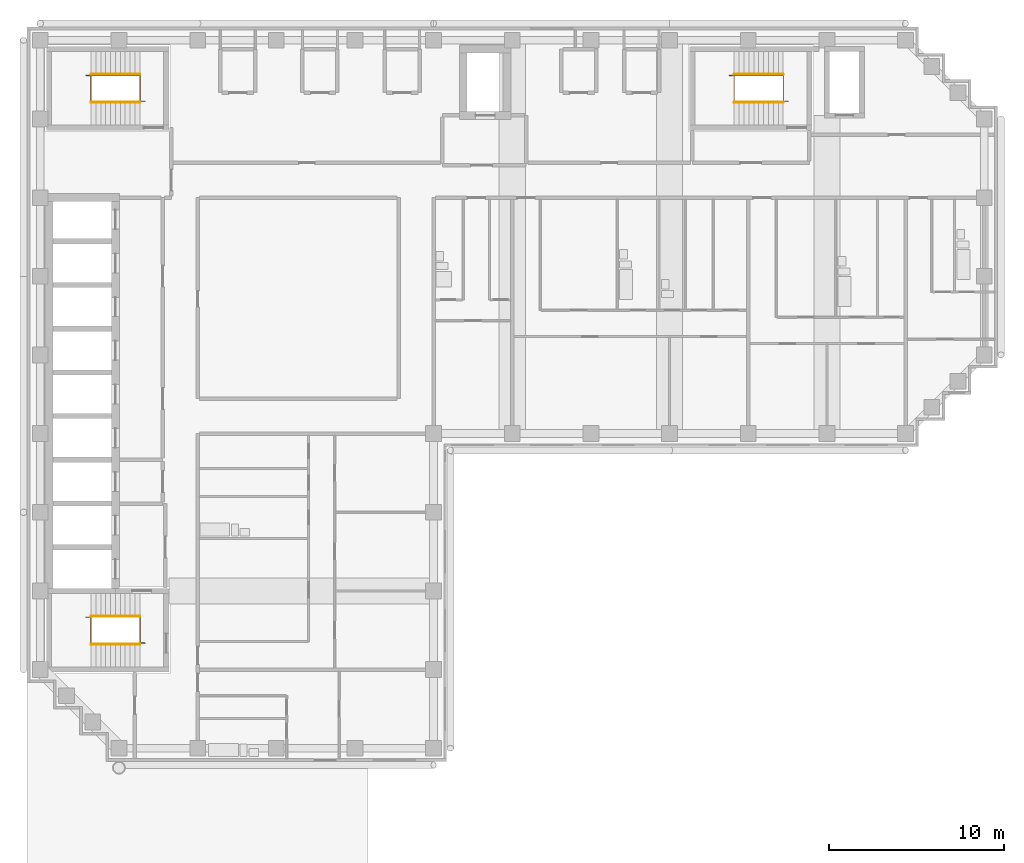
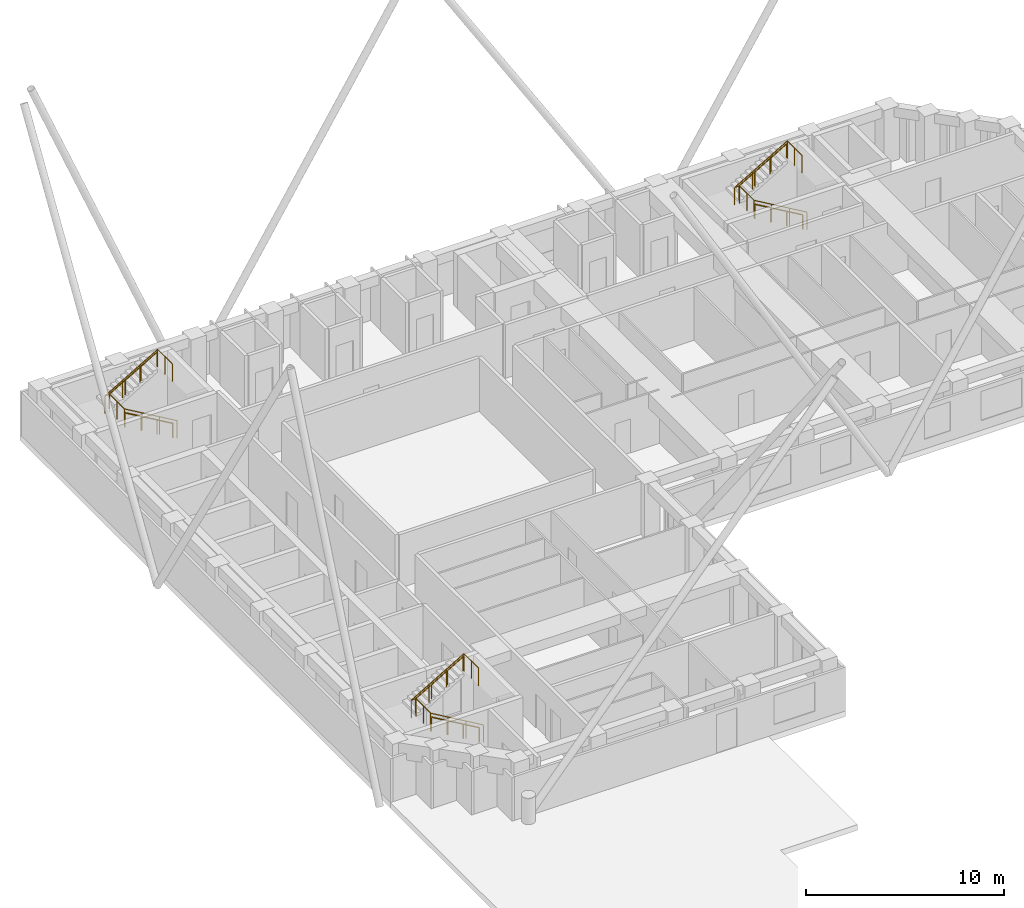
# One storey, part 8 of 9: 9 railings.
"""IFC4 building model written with IfcOpenShell, lengths in metres."""

from ifc_helpers import new_model, si_unit, direction, frame, origin, origin_2d, place, context, subcontext, project, spatial, circle, extrude, material, type_object, element, save


model = new_model("IFC4")

# Units and contexts
model_context = context("Model", 3, precision=1e-05, world=origin(), true_north=direction((0.0, 1.0)))
body_context = subcontext(model_context, "Body", "Model", "MODEL_VIEW")
ifc_project = project(units=[si_unit("LENGTHUNIT", "METRE"), si_unit("AREAUNIT", "SQUARE_METRE"), si_unit("VOLUMEUNIT", "CUBIC_METRE"), si_unit("PLANEANGLEUNIT", "RADIAN"), si_unit("MASSUNIT", "GRAM", prefix="KILO")], contexts=[model_context])

# Site, building, storey
site_placement = place(None, origin())
site = spatial("IfcSite", under=ifc_project, at=site_placement, CompositionType="ELEMENT")
building_placement = place(site_placement, origin())
building = spatial("IfcBuilding", under=site, at=building_placement, Name="Firuza Court", CompositionType="ELEMENT")
storey_placement = place(building_placement, frame((0.0, 0.0, 211.39990234375)))
storey = spatial("IfcBuildingStorey", under=building, at=storey_placement, Name="L54", CompositionType="ELEMENT", Elevation=211.39990234375)

# Railings
ifc_material_1 = material(Name="Steel S355", Category="steel")
railing_type_1 = type_object("IfcRailingType", Name="Handrail 900", PredefinedType="HANDRAIL", material=ifc_material_1)
railing_1_placement = place(storey_placement, frame((42.5, 54.949951171875, 0.163818359375)))
element("IfcRailing", 1, at=railing_1_placement, inside=storey, type_object=railing_type_1, Name="Handrail S1 flight 1", PredefinedType="HANDRAIL", context=body_context, shape_type="SweptSolid", body=[
    extrude(circle(Radius=0.02490234375, at=origin_2d()), frame((0.0, 0.0, 0.875), z_axis=(-0.863393664356, 0.0, 0.504530851732), x_axis=(0.0, -1.0, 0.0)), (0.0, 0.0, 1.0), 3.2431640625),
    extrude(circle(Radius=0.02001953125, at=origin_2d()), origin(), (0.0, 0.0, 1.0), 0.849853515625),
    extrude(circle(Radius=0.02001953125, at=origin_2d()), frame((-0.933349609375, 0.0, 0.54541015625)), (0.0, 0.0, 1.0), 0.849853515625),
    extrude(circle(Radius=0.02001953125, at=origin_2d()), frame((-1.86669921875, 0.0, 1.0908203125)), (0.0, 0.0, 1.0), 0.849853515625),
    extrude(circle(Radius=0.02001953125, at=origin_2d()), frame((-2.800048828125, 0.0, 1.63623046875)), (0.0, 0.0, 1.0), 0.849853515625),
])
railing_2_placement = place(storey_placement, frame((39.699951171875, 56.550048828125, 1.963623046875)))
element("IfcRailing", 2, at=railing_2_placement, inside=storey, type_object=railing_type_1, Name="Handrail S1 flight 2", PredefinedType="HANDRAIL", context=body_context, shape_type="SweptSolid", body=[
    extrude(circle(Radius=0.02490234375, at=origin_2d()), frame((0.0, 0.0, 0.875), z_axis=(0.863360870873, 0.0, 0.504586966384), x_axis=(0.0, 1.0, 0.0)), (0.0, 0.0, 1.0), 3.2431640625),
    extrude(circle(Radius=0.02001953125, at=origin_2d()), origin(), (0.0, 0.0, 1.0), 0.849853515625),
    extrude(circle(Radius=0.02001953125, at=origin_2d()), frame((0.933349609375, 0.0, 0.54541015625)), (0.0, 0.0, 1.0), 0.849853515625),
    extrude(circle(Radius=0.02001953125, at=origin_2d()), frame((1.86669921875, 0.0, 1.091064453125)), (0.0, 0.0, 1.0), 0.849853515625),
    extrude(circle(Radius=0.02001953125, at=origin_2d()), frame((2.800048828125, 0.0, 1.636474609375)), (0.0, 0.0, 1.0), 0.849853515625),
])
railing_3_placement = place(storey_placement, frame((5.699951171875, 23.949951171875, 0.163818359375)))
element("IfcRailing", 3, at=railing_3_placement, inside=storey, type_object=railing_type_1, Name="Handrail S2 flight 1", PredefinedType="HANDRAIL", context=body_context, shape_type="SweptSolid", body=[
    extrude(circle(Radius=0.02490234375, at=origin_2d()), frame((0.0, 0.0, 0.875), z_axis=(-0.863393664356, 0.0, 0.504530851732), x_axis=(0.0, -1.0, 0.0)), (0.0, 0.0, 1.0), 3.2431640625),
    extrude(circle(Radius=0.02001953125, at=origin_2d()), origin(), (0.0, 0.0, 1.0), 0.849853515625),
    extrude(circle(Radius=0.02001953125, at=origin_2d()), frame((-0.933349609375, 0.0, 0.54541015625)), (0.0, 0.0, 1.0), 0.849853515625),
    extrude(circle(Radius=0.02001953125, at=origin_2d()), frame((-1.86669921875, 0.0, 1.0908203125)), (0.0, 0.0, 1.0), 0.849853515625),
    extrude(circle(Radius=0.02001953125, at=origin_2d()), frame((-2.800048828125, 0.0, 1.63623046875)), (0.0, 0.0, 1.0), 0.849853515625),
])
railing_4_placement = place(storey_placement, frame((2.89990234375, 25.550048828125, 1.963623046875)))
element("IfcRailing", 4, at=railing_4_placement, inside=storey, type_object=railing_type_1, Name="Handrail S2 flight 2", PredefinedType="HANDRAIL", context=body_context, shape_type="SweptSolid", body=[
    extrude(circle(Radius=0.02490234375, at=origin_2d()), frame((0.0, 0.0, 0.875), z_axis=(0.863360870873, 0.0, 0.504586966384), x_axis=(0.0, 1.0, 0.0)), (0.0, 0.0, 1.0), 3.2431640625),
    extrude(circle(Radius=0.02001953125, at=origin_2d()), origin(), (0.0, 0.0, 1.0), 0.849853515625),
    extrude(circle(Radius=0.02001953125, at=origin_2d()), frame((0.933349609375, 0.0, 0.54541015625)), (0.0, 0.0, 1.0), 0.849853515625),
    extrude(circle(Radius=0.02001953125, at=origin_2d()), frame((1.86669921875, 0.0, 1.091064453125)), (0.0, 0.0, 1.0), 0.849853515625),
    extrude(circle(Radius=0.02001953125, at=origin_2d()), frame((2.800048828125, 0.0, 1.636474609375)), (0.0, 0.0, 1.0), 0.849853515625),
])
railing_5_placement = place(storey_placement, frame((5.699951171875, 54.949951171875, 0.163818359375)))
element("IfcRailing", 5, at=railing_5_placement, inside=storey, type_object=railing_type_1, Name="Handrail S3 flight 1", PredefinedType="HANDRAIL", context=body_context, shape_type="SweptSolid", body=[
    extrude(circle(Radius=0.02490234375, at=origin_2d()), frame((0.0, 0.0, 0.875), z_axis=(-0.863393664356, 0.0, 0.504530851732), x_axis=(0.0, -1.0, 0.0)), (0.0, 0.0, 1.0), 3.2431640625),
    extrude(circle(Radius=0.02001953125, at=origin_2d()), origin(), (0.0, 0.0, 1.0), 0.849853515625),
    extrude(circle(Radius=0.02001953125, at=origin_2d()), frame((-0.933349609375, 0.0, 0.54541015625)), (0.0, 0.0, 1.0), 0.849853515625),
    extrude(circle(Radius=0.02001953125, at=origin_2d()), frame((-1.86669921875, 0.0, 1.0908203125)), (0.0, 0.0, 1.0), 0.849853515625),
    extrude(circle(Radius=0.02001953125, at=origin_2d()), frame((-2.800048828125, 0.0, 1.63623046875)), (0.0, 0.0, 1.0), 0.849853515625),
])
railing_6_placement = place(storey_placement, frame((2.89990234375, 56.550048828125, 1.963623046875)))
element("IfcRailing", 6, at=railing_6_placement, inside=storey, type_object=railing_type_1, Name="Handrail S3 flight 2", PredefinedType="HANDRAIL", context=body_context, shape_type="SweptSolid", body=[
    extrude(circle(Radius=0.02490234375, at=origin_2d()), frame((0.0, 0.0, 0.875), z_axis=(0.863360870873, 0.0, 0.504586966384), x_axis=(0.0, 1.0, 0.0)), (0.0, 0.0, 1.0), 3.2431640625),
    extrude(circle(Radius=0.02001953125, at=origin_2d()), origin(), (0.0, 0.0, 1.0), 0.849853515625),
    extrude(circle(Radius=0.02001953125, at=origin_2d()), frame((0.933349609375, 0.0, 0.54541015625)), (0.0, 0.0, 1.0), 0.849853515625),
    extrude(circle(Radius=0.02001953125, at=origin_2d()), frame((1.86669921875, 0.0, 1.091064453125)), (0.0, 0.0, 1.0), 0.849853515625),
    extrude(circle(Radius=0.02001953125, at=origin_2d()), frame((2.800048828125, 0.0, 1.636474609375)), (0.0, 0.0, 1.0), 0.849853515625),
])
ifc_material_2 = material(Name="Steel S355", Category="steel")
railing_type_2 = type_object("IfcRailingType", Name="Stair guard 1100", PredefinedType="GUARDRAIL", material=ifc_material_2)
railing_7_placement = place(storey_placement, frame((42.780029296875, 55.010009765625, 0.0)))
element("IfcRailing", 7, at=railing_7_placement, inside=storey, type_object=railing_type_2, Name="Stair well guard S1", PredefinedType="GUARDRAIL", context=body_context, shape_type="SweptSolid", body=[
    extrude(circle(Radius=0.02490234375, at=origin_2d()), frame((0.0, 0.0, 1.0751953125), z_axis=(-0.863371556955, 0.0, 0.504568681787), x_axis=(0.0, -1.0, 0.0)), (0.0, 0.0, 1.0), 3.5673828125),
    extrude(circle(Radius=0.02490234375, at=origin_2d()), frame((-3.080078125, 0.0, 2.875), z_axis=(0.0, 1.0, 0.0), x_axis=(-1.0, 0.0, 0.0)), (0.0, 0.0, 1.0), 1.47998046875),
    extrude(circle(Radius=0.02490234375, at=origin_2d()), frame((-3.080078125, 1.47998046875, 2.875), z_axis=(-1.0, 0.0, 0.0), x_axis=(0.0, -1.0, 0.0)), (0.0, 0.0, 1.0), 0.280029296875),
    extrude(circle(Radius=0.02490234375, at=origin_2d()), frame((-3.360107421875, 1.47998046875, 2.875), z_axis=(0.863371556955, 0.0, 0.504568681787), x_axis=(0.0, 1.0, 0.0)), (0.0, 0.0, 1.0), 3.5673828125),
    extrude(circle(Radius=0.02490234375, at=origin_2d()), frame((-0.280029296875, 1.47998046875, 4.67529296875), z_axis=(0.0, -1.0, 0.0), x_axis=(1.0, 0.0, 0.0)), (0.0, 0.0, 1.0), 1.47998046875),
    extrude(circle(Radius=0.02490234375, at=origin_2d()), origin(), (0.0, 0.0, 1.0), 1.050048828125),
    extrude(circle(Radius=0.02490234375, at=origin_2d()), frame((-1.026611328125, 0.0, 0.60009765625)), (0.0, 0.0, 1.0), 1.050048828125),
    extrude(circle(Radius=0.02490234375, at=origin_2d()), frame((-2.053466796875, 0.0, 1.199951171875)), (0.0, 0.0, 1.0), 1.050048828125),
    extrude(circle(Radius=0.02490234375, at=origin_2d()), frame((-3.080078125, 0.0, 1.800048828125)), (0.0, 0.0, 1.0), 1.050048828125),
    extrude(circle(Radius=0.02490234375, at=origin_2d()), frame((-3.080078125, 0.739990234375, 1.800048828125)), (0.0, 0.0, 1.0), 1.050048828125),
    extrude(circle(Radius=0.02490234375, at=origin_2d()), frame((-3.080078125, 1.47998046875, 1.800048828125)), (0.0, 0.0, 1.0), 1.050048828125),
    extrude(circle(Radius=0.02490234375, at=origin_2d()), frame((-3.360107421875, 1.47998046875, 1.800048828125)), (0.0, 0.0, 1.0), 1.050048828125),
    extrude(circle(Radius=0.02490234375, at=origin_2d()), frame((-2.33349609375, 1.47998046875, 2.400146484375)), (0.0, 0.0, 1.0), 1.050048828125),
    extrude(circle(Radius=0.02490234375, at=origin_2d()), frame((-1.306640625, 1.47998046875, 3.0)), (0.0, 0.0, 1.0), 1.050048828125),
    extrude(circle(Radius=0.02490234375, at=origin_2d()), frame((-0.280029296875, 1.47998046875, 3.60009765625)), (0.0, 0.0, 1.0), 1.050048828125),
    extrude(circle(Radius=0.02490234375, at=origin_2d()), frame((-0.280029296875, 0.739990234375, 3.60009765625)), (0.0, 0.0, 1.0), 1.050048828125),
    extrude(circle(Radius=0.02490234375, at=origin_2d()), frame((-0.280029296875, 0.0, 3.60009765625)), (0.0, 0.0, 1.0), 1.050048828125),
])
railing_8_placement = place(storey_placement, frame((5.97998046875, 24.010009765625, 0.0)))
element("IfcRailing", 8, at=railing_8_placement, inside=storey, type_object=railing_type_2, Name="Stair well guard S2", PredefinedType="GUARDRAIL", context=body_context, shape_type="SweptSolid", body=[
    extrude(circle(Radius=0.02490234375, at=origin_2d()), frame((0.0, 0.0, 1.0751953125), z_axis=(-0.863371556955, 0.0, 0.504568681787), x_axis=(0.0, -1.0, 0.0)), (0.0, 0.0, 1.0), 3.5673828125),
    extrude(circle(Radius=0.02490234375, at=origin_2d()), frame((-3.080078125, 0.0, 2.875), z_axis=(0.0, 1.0, 0.0), x_axis=(-1.0, 0.0, 0.0)), (0.0, 0.0, 1.0), 1.47998046875),
    extrude(circle(Radius=0.02490234375, at=origin_2d()), frame((-3.080078125, 1.47998046875, 2.875), z_axis=(-1.0, 0.0, 0.0), x_axis=(0.0, -1.0, 0.0)), (0.0, 0.0, 1.0), 0.27978515625),
    extrude(circle(Radius=0.02490234375, at=origin_2d()), frame((-3.35986328125, 1.47998046875, 2.875), z_axis=(0.863354132664, 0.0, 0.504598495452), x_axis=(0.0, 1.0, 0.0)), (0.0, 0.0, 1.0), 3.5673828125),
    extrude(circle(Radius=0.02490234375, at=origin_2d()), frame((-0.280029296875, 1.47998046875, 4.67529296875), z_axis=(0.0, -1.0, 0.0), x_axis=(1.0, 0.0, 0.0)), (0.0, 0.0, 1.0), 1.47998046875),
    extrude(circle(Radius=0.02490234375, at=origin_2d()), origin(), (0.0, 0.0, 1.0), 1.050048828125),
    extrude(circle(Radius=0.02490234375, at=origin_2d()), frame((-1.026611328125, 0.0, 0.60009765625)), (0.0, 0.0, 1.0), 1.050048828125),
    extrude(circle(Radius=0.02490234375, at=origin_2d()), frame((-2.053466796875, 0.0, 1.199951171875)), (0.0, 0.0, 1.0), 1.050048828125),
    extrude(circle(Radius=0.02490234375, at=origin_2d()), frame((-3.080078125, 0.0, 1.800048828125)), (0.0, 0.0, 1.0), 1.050048828125),
    extrude(circle(Radius=0.02490234375, at=origin_2d()), frame((-3.080078125, 0.739990234375, 1.800048828125)), (0.0, 0.0, 1.0), 1.050048828125),
    extrude(circle(Radius=0.02490234375, at=origin_2d()), frame((-3.080078125, 1.47998046875, 1.800048828125)), (0.0, 0.0, 1.0), 1.050048828125),
    extrude(circle(Radius=0.02490234375, at=origin_2d()), frame((-3.35986328125, 1.47998046875, 1.800048828125)), (0.0, 0.0, 1.0), 1.050048828125),
    extrude(circle(Radius=0.02490234375, at=origin_2d()), frame((-2.333251953125, 1.47998046875, 2.400146484375)), (0.0, 0.0, 1.0), 1.050048828125),
    extrude(circle(Radius=0.02490234375, at=origin_2d()), frame((-1.306640625, 1.47998046875, 3.0)), (0.0, 0.0, 1.0), 1.050048828125),
    extrude(circle(Radius=0.02490234375, at=origin_2d()), frame((-0.280029296875, 1.47998046875, 3.60009765625)), (0.0, 0.0, 1.0), 1.050048828125),
    extrude(circle(Radius=0.02490234375, at=origin_2d()), frame((-0.280029296875, 0.739990234375, 3.60009765625)), (0.0, 0.0, 1.0), 1.050048828125),
    extrude(circle(Radius=0.02490234375, at=origin_2d()), frame((-0.280029296875, 0.0, 3.60009765625)), (0.0, 0.0, 1.0), 1.050048828125),
])
railing_9_placement = place(storey_placement, frame((5.97998046875, 55.010009765625, 0.0)))
element("IfcRailing", 9, at=railing_9_placement, inside=storey, type_object=railing_type_2, Name="Stair well guard S3", PredefinedType="GUARDRAIL", context=body_context, shape_type="SweptSolid", body=[
    extrude(circle(Radius=0.02490234375, at=origin_2d()), frame((0.0, 0.0, 1.0751953125), z_axis=(-0.863371556955, 0.0, 0.504568681787), x_axis=(0.0, -1.0, 0.0)), (0.0, 0.0, 1.0), 3.5673828125),
    extrude(circle(Radius=0.02490234375, at=origin_2d()), frame((-3.080078125, 0.0, 2.875), z_axis=(0.0, 1.0, 0.0), x_axis=(-1.0, 0.0, 0.0)), (0.0, 0.0, 1.0), 1.47998046875),
    extrude(circle(Radius=0.02490234375, at=origin_2d()), frame((-3.080078125, 1.47998046875, 2.875), z_axis=(-1.0, 0.0, 0.0), x_axis=(0.0, -1.0, 0.0)), (0.0, 0.0, 1.0), 0.27978515625),
    extrude(circle(Radius=0.02490234375, at=origin_2d()), frame((-3.35986328125, 1.47998046875, 2.875), z_axis=(0.863354132664, 0.0, 0.504598495452), x_axis=(0.0, 1.0, 0.0)), (0.0, 0.0, 1.0), 3.5673828125),
    extrude(circle(Radius=0.02490234375, at=origin_2d()), frame((-0.280029296875, 1.47998046875, 4.67529296875), z_axis=(0.0, -1.0, 0.0), x_axis=(1.0, 0.0, 0.0)), (0.0, 0.0, 1.0), 1.47998046875),
    extrude(circle(Radius=0.02490234375, at=origin_2d()), origin(), (0.0, 0.0, 1.0), 1.050048828125),
    extrude(circle(Radius=0.02490234375, at=origin_2d()), frame((-1.026611328125, 0.0, 0.60009765625)), (0.0, 0.0, 1.0), 1.050048828125),
    extrude(circle(Radius=0.02490234375, at=origin_2d()), frame((-2.053466796875, 0.0, 1.199951171875)), (0.0, 0.0, 1.0), 1.050048828125),
    extrude(circle(Radius=0.02490234375, at=origin_2d()), frame((-3.080078125, 0.0, 1.800048828125)), (0.0, 0.0, 1.0), 1.050048828125),
    extrude(circle(Radius=0.02490234375, at=origin_2d()), frame((-3.080078125, 0.739990234375, 1.800048828125)), (0.0, 0.0, 1.0), 1.050048828125),
    extrude(circle(Radius=0.02490234375, at=origin_2d()), frame((-3.080078125, 1.47998046875, 1.800048828125)), (0.0, 0.0, 1.0), 1.050048828125),
    extrude(circle(Radius=0.02490234375, at=origin_2d()), frame((-3.35986328125, 1.47998046875, 1.800048828125)), (0.0, 0.0, 1.0), 1.050048828125),
    extrude(circle(Radius=0.02490234375, at=origin_2d()), frame((-2.333251953125, 1.47998046875, 2.400146484375)), (0.0, 0.0, 1.0), 1.050048828125),
    extrude(circle(Radius=0.02490234375, at=origin_2d()), frame((-1.306640625, 1.47998046875, 3.0)), (0.0, 0.0, 1.0), 1.050048828125),
    extrude(circle(Radius=0.02490234375, at=origin_2d()), frame((-0.280029296875, 1.47998046875, 3.60009765625)), (0.0, 0.0, 1.0), 1.050048828125),
    extrude(circle(Radius=0.02490234375, at=origin_2d()), frame((-0.280029296875, 0.739990234375, 3.60009765625)), (0.0, 0.0, 1.0), 1.050048828125),
    extrude(circle(Radius=0.02490234375, at=origin_2d()), frame((-0.280029296875, 0.0, 3.60009765625)), (0.0, 0.0, 1.0), 1.050048828125),
])

save(model, "model.ifc")
